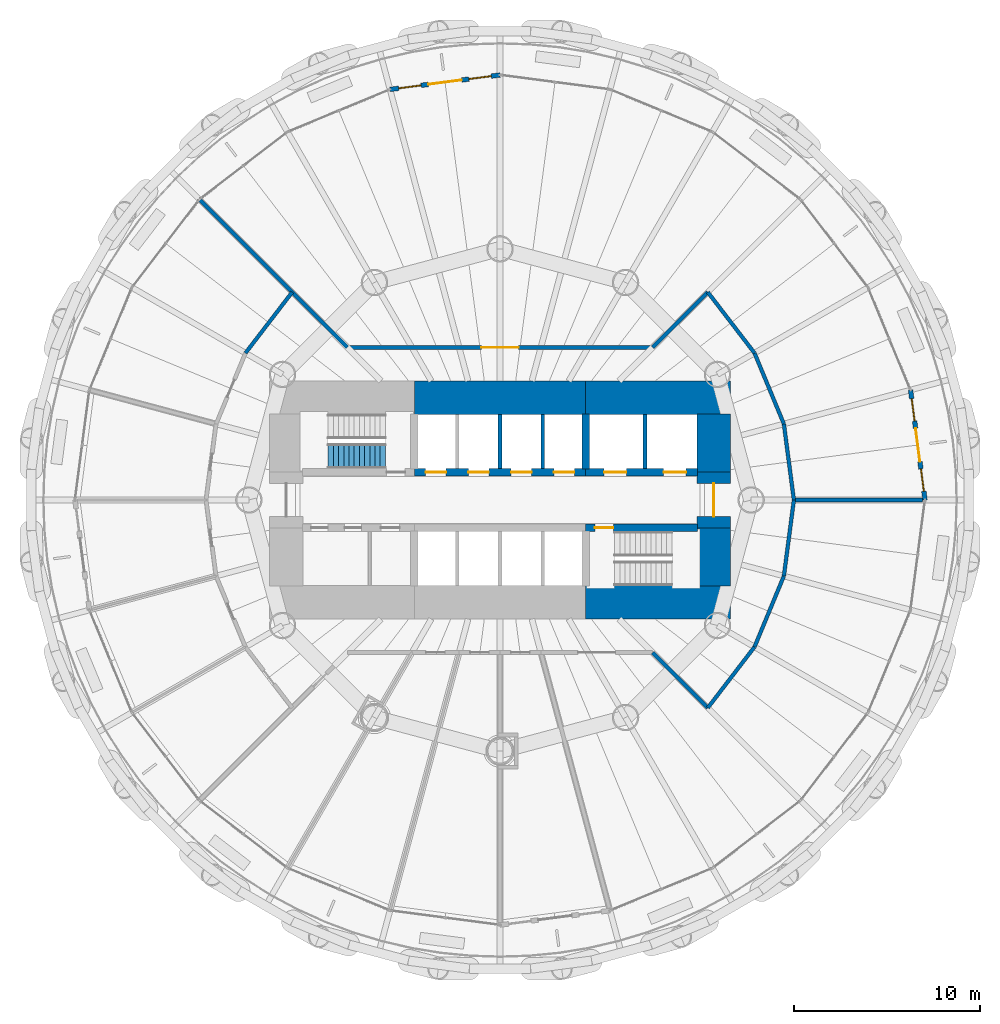
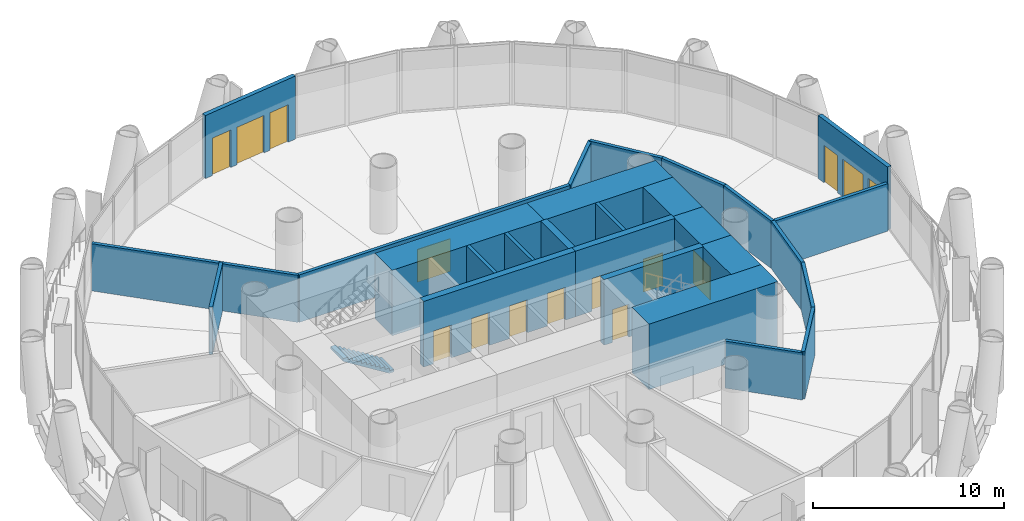
# One storey, part 11 of 16: 27 walls, 11 doors, 4 windows, 1 stair flight, 15 openings, 1 element without a shape of its own.
"""IFC4 building model written with IfcOpenShell, lengths in metres."""

from ifc_helpers import new_model, si_unit, direction, frame, frame_2d, origin, place, context, subcontext, project, spatial, polyline, rectangle, outline, extrude, material, layer, layer_set, type_object, element, fill, aggregate, save


model = new_model("IFC4")

# Units and contexts
model_context = context("Model", 3, precision=1e-05, world=origin(), true_north=direction((0.0, 1.0)))
body_context = subcontext(model_context, "Body", "Model", "MODEL_VIEW")
ifc_project = project(units=[si_unit("LENGTHUNIT", "METRE"), si_unit("AREAUNIT", "SQUARE_METRE"), si_unit("VOLUMEUNIT", "CUBIC_METRE"), si_unit("PLANEANGLEUNIT", "RADIAN"), si_unit("MASSUNIT", "GRAM", prefix="KILO")], contexts=[model_context])

# Site, building, storey
site_placement = place(None, origin())
site = spatial("IfcSite", under=ifc_project, at=site_placement, CompositionType="ELEMENT")
building_placement = place(site_placement, origin())
building = spatial("IfcBuilding", under=site, at=building_placement, Name="Qaws Media Tower", CompositionType="ELEMENT")
storey_placement = place(building_placement, frame((0.0, 0.0, 63.800048828125)))
storey = spatial("IfcBuildingStorey", under=building, at=storey_placement, Name="L13", CompositionType="ELEMENT", Elevation=63.800048828125)

# Wall, openings, door, windows
ifc_material_1 = material(Name="Precast concrete, exposed finish", Category="concrete")
ifc_layer_1 = layer(ifc_material_1, 0.25)
ifc_layer_set_1 = layer_set([ifc_layer_1], Name="Balcony door wall 250")
wall_type_1 = type_object("IfcWallType", Name="Balcony door wall 250", PredefinedType="SOLIDWALL", material=ifc_layer_set_1)
wall_1_placement = place(storey_placement, frame((82.85009765625, 50.0, 0.0), z_axis=(0.0, 0.0, 1.0), x_axis=(-0.130560384174, 0.991440359318, 0.0)))
wall_1 = element("IfcWall", 1, at=wall_1_placement, inside=storey, type_object=wall_type_1, Name="W144 EW1 balcony door wall L13-01", PredefinedType="SOLIDWALL", context=body_context, shape_type="SweptSolid", body=[
    extrude(rectangle(XDim=5.965087890625, YDim=0.25, at=frame_2d((2.982421875, 0.0))), origin(), (0.0, 0.0, 1.0), 4.0400390625),
])
opening_1_placement = place(wall_1_placement, frame((2.08251953125, 0.0, 0.0)))
opening_1 = element("IfcOpeningElement", 2, at=opening_1_placement, cuts=wall_1, Name="Opening D7", PredefinedType="OPENING", context=body_context, shape_type="SweptSolid", body=[
    extrude(rectangle(XDim=1.800048828125, YDim=2.39990234375, at=frame_2d((0.89990234375, 1.199951171875))), frame((0.0, 0.135009765625, 0.0), z_axis=(0.0, -1.0, 0.0), x_axis=(1.0, 0.0, 0.0)), (0.0, 0.0, 1.0), 0.27001953125),
])
opening_2_placement = place(wall_1_placement, frame((0.482421875, 0.0, 0.0)))
opening_2 = element("IfcOpeningElement", 3, at=opening_2_placement, cuts=wall_1, Name="Opening W1", PredefinedType="OPENING", context=body_context, shape_type="SweptSolid", body=[
    extrude(rectangle(XDim=1.199951171875, YDim=2.39990234375, at=frame_2d((0.60009765625, 1.199951171875))), frame((0.0, 0.135009765625, 0.0), z_axis=(0.0, -1.0, 0.0), x_axis=(1.0, 0.0, 0.0)), (0.0, 0.0, 1.0), 0.27001953125),
])
opening_3_placement = place(wall_1_placement, frame((4.282470703125, 0.0, 0.0)))
opening_3 = element("IfcOpeningElement", 4, at=opening_3_placement, cuts=wall_1, Name="Opening W1", PredefinedType="OPENING", context=body_context, shape_type="SweptSolid", body=[
    extrude(rectangle(XDim=1.199951171875, YDim=2.39990234375, at=frame_2d((0.60009765625, 1.199951171875))), frame((0.0, 0.135009765625, 0.0), z_axis=(0.0, -1.0, 0.0), x_axis=(1.0, 0.0, 0.0)), (0.0, 0.0, 1.0), 0.27001953125),
])
ifc_material_2 = material(Name="Aluminium and clear glass", Category="aluminium")
door_type_1 = type_object("IfcDoorType", Name="Balcony door pair 1800", OperationType="DOUBLE_DOOR_SLIDING", PredefinedType="DOOR", material=ifc_material_2)
door_1_placement = place(opening_1_placement, origin())
door_1 = element("IfcDoor", 5, at=door_1_placement, inside=storey, type_object=door_type_1, Name="D7 balcony door L13-01 in wall W144", OperationType="DOUBLE_DOOR_SLIDING", OverallHeight=2.39990234375, OverallWidth=1.800048828125, PredefinedType="DOOR", context=body_context, shape_type="SweptSolid", body=[
    extrude(rectangle(XDim=1.800048828125, YDim=2.39990234375, at=frame_2d((0.89990234375, 1.199951171875))), frame((0.0, 0.02490234375, 0.0), z_axis=(0.0, -1.0, 0.0), x_axis=(1.0, 0.0, 0.0)), (0.0, 0.0, 1.0), 0.050048828125),
])
fill(opening_1, door_1)
ifc_material_3 = material(Name="Aluminium and clear glass", Category="aluminium")
window_type = type_object("IfcWindowType", Name="Balcony side window 1200", PartitioningType="SINGLE_PANEL", PredefinedType="WINDOW", material=ifc_material_3)
window_1_placement = place(opening_2_placement, origin())
window_1 = element("IfcWindow", 6, at=window_1_placement, inside=storey, type_object=window_type, Name="W1 balcony side light L13-01L", OverallHeight=2.39990234375, OverallWidth=1.199951171875, PartitioningType="SINGLE_PANEL", PredefinedType="WINDOW", context=body_context, shape_type="SweptSolid", body=[
    extrude(rectangle(XDim=1.199951171875, YDim=2.39990234375, at=frame_2d((0.60009765625, 1.199951171875))), frame((0.0, 0.030029296875, 0.0), z_axis=(0.0, -1.0, 0.0), x_axis=(1.0, 0.0, 0.0)), (0.0, 0.0, 1.0), 0.06005859375),
])
fill(opening_2, window_1)
window_2_placement = place(opening_3_placement, origin())
window_2 = element("IfcWindow", 7, at=window_2_placement, inside=storey, type_object=window_type, Name="W1 balcony side light L13-01R", OverallHeight=2.39990234375, OverallWidth=1.199951171875, PartitioningType="SINGLE_PANEL", PredefinedType="WINDOW", context=body_context, shape_type="SweptSolid", body=[
    extrude(rectangle(XDim=1.199951171875, YDim=2.39990234375, at=frame_2d((0.60009765625, 1.199951171875))), frame((0.0, 0.030029296875, 0.0), z_axis=(0.0, -1.0, 0.0), x_axis=(1.0, 0.0, 0.0)), (0.0, 0.0, 1.0), 0.06005859375),
])
fill(opening_3, window_2)

wall_2_placement = place(storey_placement, frame((60.0, 72.85009765625, 0.0), z_axis=(0.0, 0.0, 1.0), x_axis=(-0.991440359318, -0.130560384174, 0.0)))
wall_2 = element("IfcWall", 8, at=wall_2_placement, inside=storey, type_object=wall_type_1, Name="W143 EW1 balcony door wall L13-07", PredefinedType="SOLIDWALL", context=body_context, shape_type="SweptSolid", body=[
    extrude(rectangle(XDim=5.965087890625, YDim=0.25, at=frame_2d((2.982421875, 0.0))), origin(), (0.0, 0.0, 1.0), 4.0400390625),
])
opening_4_placement = place(wall_2_placement, frame((2.08251953125, 0.0, 0.0)))
opening_4 = element("IfcOpeningElement", 9, at=opening_4_placement, cuts=wall_2, Name="Opening D7", PredefinedType="OPENING", context=body_context, shape_type="SweptSolid", body=[
    extrude(rectangle(XDim=1.800048828125, YDim=2.39990234375, at=frame_2d((0.89990234375, 1.199951171875))), frame((0.0, 0.135009765625, 0.0), z_axis=(0.0, -1.0, 0.0), x_axis=(1.0, 0.0, 0.0)), (0.0, 0.0, 1.0), 0.27001953125),
])
opening_5_placement = place(wall_2_placement, frame((0.482421875, 0.0, 0.0)))
opening_5 = element("IfcOpeningElement", 10, at=opening_5_placement, cuts=wall_2, Name="Opening W1", PredefinedType="OPENING", context=body_context, shape_type="SweptSolid", body=[
    extrude(rectangle(XDim=1.199951171875, YDim=2.39990234375, at=frame_2d((0.60009765625, 1.199951171875))), frame((0.0, 0.135009765625, 0.0), z_axis=(0.0, -1.0, 0.0), x_axis=(1.0, 0.0, 0.0)), (0.0, 0.0, 1.0), 0.27001953125),
])
opening_6_placement = place(wall_2_placement, frame((4.282470703125, 0.0, 0.0)))
opening_6 = element("IfcOpeningElement", 11, at=opening_6_placement, cuts=wall_2, Name="Opening W1", PredefinedType="OPENING", context=body_context, shape_type="SweptSolid", body=[
    extrude(rectangle(XDim=1.199951171875, YDim=2.39990234375, at=frame_2d((0.60009765625, 1.199951171875))), frame((0.0, 0.135009765625, 0.0), z_axis=(0.0, -1.0, 0.0), x_axis=(1.0, 0.0, 0.0)), (0.0, 0.0, 1.0), 0.27001953125),
])
door_2_placement = place(opening_4_placement, origin())
door_2 = element("IfcDoor", 12, at=door_2_placement, inside=storey, type_object=door_type_1, Name="D7 balcony door L13-07 in wall W143", OperationType="DOUBLE_DOOR_SLIDING", OverallHeight=2.39990234375, OverallWidth=1.800048828125, PredefinedType="DOOR", context=body_context, shape_type="SweptSolid", body=[
    extrude(rectangle(XDim=1.800048828125, YDim=2.39990234375, at=frame_2d((0.89990234375, 1.199951171875))), frame((0.0, 0.02490234375, 0.0), z_axis=(0.0, -1.0, 0.0), x_axis=(1.0, 0.0, 0.0)), (0.0, 0.0, 1.0), 0.050048828125),
])
fill(opening_4, door_2)
window_3_placement = place(opening_5_placement, origin())
window_3 = element("IfcWindow", 13, at=window_3_placement, inside=storey, type_object=window_type, Name="W1 balcony side light L13-07L", OverallHeight=2.39990234375, OverallWidth=1.199951171875, PartitioningType="SINGLE_PANEL", PredefinedType="WINDOW", context=body_context, shape_type="SweptSolid", body=[
    extrude(rectangle(XDim=1.199951171875, YDim=2.39990234375, at=frame_2d((0.60009765625, 1.199951171875))), frame((0.0, 0.030029296875, 0.0), z_axis=(0.0, -1.0, 0.0), x_axis=(1.0, 0.0, 0.0)), (0.0, 0.0, 1.0), 0.06005859375),
])
fill(opening_5, window_3)
window_4_placement = place(opening_6_placement, origin())
window_4 = element("IfcWindow", 14, at=window_4_placement, inside=storey, type_object=window_type, Name="W1 balcony side light L13-07R", OverallHeight=2.39990234375, OverallWidth=1.199951171875, PartitioningType="SINGLE_PANEL", PredefinedType="WINDOW", context=body_context, shape_type="SweptSolid", body=[
    extrude(rectangle(XDim=1.199951171875, YDim=2.39990234375, at=frame_2d((0.60009765625, 1.199951171875))), frame((0.0, 0.030029296875, 0.0), z_axis=(0.0, -1.0, 0.0), x_axis=(1.0, 0.0, 0.0)), (0.0, 0.0, 1.0), 0.06005859375),
])
fill(opening_6, window_4)

# Wall, openings, doors
ifc_material_4 = material(Name="Concrete C60/75", Category="concrete")
ifc_layer_2 = layer(ifc_material_4, 0.39990234375)
ifc_layer_set_2 = layer_set([ifc_layer_2], Name="Core inner wall 400")
wall_type_2 = type_object("IfcWallType", Name="Core inner wall 400", PredefinedType="SHEAR", material=ifc_layer_set_2)
wall_3_placement = place(storey_placement, frame((55.39990234375, 51.5, 0.0), z_axis=(0.0, 0.0, 1.0), x_axis=(1.0, 0.0, 0.0)))
wall_3 = element("IfcWall", 15, at=wall_3_placement, inside=storey, type_object=wall_type_2, Name="W314 SW4 core wall SPN L13", PredefinedType="SHEAR", context=body_context, shape_type="SweptSolid", body=[
    extrude(rectangle(XDim=9.2001953125, YDim=0.39990234375, at=frame_2d((4.60009765625, 0.0))), origin(), (0.0, 0.0, 1.0), 4.199951171875),
])
opening_7_placement = place(wall_3_placement, frame((0.60009765625, 0.0, 0.0)))
opening_7 = element("IfcOpeningElement", 16, at=opening_7_placement, cuts=wall_3, Name="Opening LD", PredefinedType="OPENING", context=body_context, shape_type="SweptSolid", body=[
    extrude(rectangle(XDim=1.10009765625, YDim=2.10009765625, at=frame_2d((0.550048828125, 1.050048828125))), frame((0.0, 0.2099609375, 0.0), z_axis=(0.0, -1.0, 0.0), x_axis=(1.0, 0.0, 0.0)), (0.0, 0.0, 1.0), 0.419921875),
])
opening_8_placement = place(wall_3_placement, frame((2.89990234375, 0.0, 0.0)))
opening_8 = element("IfcOpeningElement", 17, at=opening_8_placement, cuts=wall_3, Name="Opening LD", PredefinedType="OPENING", context=body_context, shape_type="SweptSolid", body=[
    extrude(rectangle(XDim=1.10009765625, YDim=2.10009765625, at=frame_2d((0.550048828125, 1.050048828125))), frame((0.0, 0.2099609375, 0.0), z_axis=(0.0, -1.0, 0.0), x_axis=(1.0, 0.0, 0.0)), (0.0, 0.0, 1.0), 0.419921875),
])
opening_9_placement = place(wall_3_placement, frame((5.199951171875, 0.0, 0.0)))
opening_9 = element("IfcOpeningElement", 18, at=opening_9_placement, cuts=wall_3, Name="Opening LD", PredefinedType="OPENING", context=body_context, shape_type="SweptSolid", body=[
    extrude(rectangle(XDim=1.10009765625, YDim=2.10009765625, at=frame_2d((0.550048828125, 1.050048828125))), frame((0.0, 0.2099609375, 0.0), z_axis=(0.0, -1.0, 0.0), x_axis=(1.0, 0.0, 0.0)), (0.0, 0.0, 1.0), 0.419921875),
])
opening_10_placement = place(wall_3_placement, frame((7.5, 0.0, 0.0)))
opening_10 = element("IfcOpeningElement", 19, at=opening_10_placement, cuts=wall_3, Name="Opening LD", PredefinedType="OPENING", context=body_context, shape_type="SweptSolid", body=[
    extrude(rectangle(XDim=1.10009765625, YDim=2.10009765625, at=frame_2d((0.550048828125, 1.050048828125))), frame((0.0, 0.2099609375, 0.0), z_axis=(0.0, -1.0, 0.0), x_axis=(1.0, 0.0, 0.0)), (0.0, 0.0, 1.0), 0.419921875),
])
ifc_material_5 = material(Name="Steel, fire rated", Category="steel")
door_type_2 = type_object("IfcDoorType", Name="Lift landing door 1100", OperationType="SLIDING_TO_LEFT", PredefinedType="DOOR", material=ifc_material_5)
door_3_placement = place(opening_7_placement, origin())
door_3 = element("IfcDoor", 20, at=door_3_placement, inside=storey, type_object=door_type_2, Name="P1 landing door L13 in wall W314", OperationType="SLIDING_TO_LEFT", OverallHeight=2.10009765625, OverallWidth=1.10009765625, PredefinedType="DOOR", context=body_context, shape_type="SweptSolid", body=[
    extrude(rectangle(XDim=1.10009765625, YDim=2.10009765625, at=frame_2d((0.550048828125, 1.050048828125))), frame((0.0, 0.02490234375, 0.0), z_axis=(0.0, -1.0, 0.0), x_axis=(1.0, 0.0, 0.0)), (0.0, 0.0, 1.0), 0.050048828125),
])
fill(opening_7, door_3)
door_4_placement = place(opening_8_placement, origin())
door_4 = element("IfcDoor", 21, at=door_4_placement, inside=storey, type_object=door_type_2, Name="P2 landing door L13 in wall W314", OperationType="SLIDING_TO_LEFT", OverallHeight=2.10009765625, OverallWidth=1.10009765625, PredefinedType="DOOR", context=body_context, shape_type="SweptSolid", body=[
    extrude(rectangle(XDim=1.10009765625, YDim=2.10009765625, at=frame_2d((0.550048828125, 1.050048828125))), frame((0.0, 0.02490234375, 0.0), z_axis=(0.0, -1.0, 0.0), x_axis=(1.0, 0.0, 0.0)), (0.0, 0.0, 1.0), 0.050048828125),
])
fill(opening_8, door_4)
door_5_placement = place(opening_9_placement, origin())
door_5 = element("IfcDoor", 22, at=door_5_placement, inside=storey, type_object=door_type_2, Name="P3 landing door L13 in wall W314", OperationType="SLIDING_TO_LEFT", OverallHeight=2.10009765625, OverallWidth=1.10009765625, PredefinedType="DOOR", context=body_context, shape_type="SweptSolid", body=[
    extrude(rectangle(XDim=1.10009765625, YDim=2.10009765625, at=frame_2d((0.550048828125, 1.050048828125))), frame((0.0, 0.02490234375, 0.0), z_axis=(0.0, -1.0, 0.0), x_axis=(1.0, 0.0, 0.0)), (0.0, 0.0, 1.0), 0.050048828125),
])
fill(opening_9, door_5)
door_6_placement = place(opening_10_placement, origin())
door_6 = element("IfcDoor", 23, at=door_6_placement, inside=storey, type_object=door_type_2, Name="P4 landing door L13 in wall W314", OperationType="SLIDING_TO_LEFT", OverallHeight=2.10009765625, OverallWidth=1.10009765625, PredefinedType="DOOR", context=body_context, shape_type="SweptSolid", body=[
    extrude(rectangle(XDim=1.10009765625, YDim=2.10009765625, at=frame_2d((0.550048828125, 1.050048828125))), frame((0.0, 0.02490234375, 0.0), z_axis=(0.0, -1.0, 0.0), x_axis=(1.0, 0.0, 0.0)), (0.0, 0.0, 1.0), 0.050048828125),
])
fill(opening_10, door_6)

wall_4_placement = place(storey_placement, frame((64.60009765625, 51.5, 0.0), z_axis=(0.0, 0.0, 1.0), x_axis=(1.0, 0.0, 0.0)))
wall_4 = element("IfcWall", 24, at=wall_4_placement, inside=storey, type_object=wall_type_2, Name="W318 SW4 core wall SPNE L13", PredefinedType="SHEAR", context=body_context, shape_type="SweptSolid", body=[
    extrude(rectangle(XDim=6.02001953125, YDim=0.39990234375, at=frame_2d((3.010009765625, 0.0))), origin(), (0.0, 0.0, 1.0), 4.199951171875),
])
opening_11_placement = place(wall_4_placement, frame((1.0, 0.0, 0.0)))
opening_11 = element("IfcOpeningElement", 25, at=opening_11_placement, cuts=wall_4, Name="Opening LD2", PredefinedType="OPENING", context=body_context, shape_type="SweptSolid", body=[
    extrude(rectangle(XDim=1.199951171875, YDim=2.10009765625, at=frame_2d((0.60009765625, 1.050048828125))), frame((0.0, 0.2099609375, 0.0), z_axis=(0.0, -1.0, 0.0), x_axis=(1.0, 0.0, 0.0)), (0.0, 0.0, 1.0), 0.419921875),
])
opening_12_placement = place(wall_4_placement, frame((4.199951171875, 0.0, 0.0)))
opening_12 = element("IfcOpeningElement", 26, at=opening_12_placement, cuts=wall_4, Name="Opening LD2", PredefinedType="OPENING", context=body_context, shape_type="SweptSolid", body=[
    extrude(rectangle(XDim=1.199951171875, YDim=2.10009765625, at=frame_2d((0.60009765625, 1.050048828125))), frame((0.0, 0.2099609375, 0.0), z_axis=(0.0, -1.0, 0.0), x_axis=(1.0, 0.0, 0.0)), (0.0, 0.0, 1.0), 0.419921875),
])
ifc_material_6 = material(Name="Steel, fire rated", Category="steel")
door_type_3 = type_object("IfcDoorType", Name="Lift landing door 1200", OperationType="SLIDING_TO_LEFT", PredefinedType="DOOR", material=ifc_material_6)
door_7_placement = place(opening_11_placement, origin())
door_7 = element("IfcDoor", 27, at=door_7_placement, inside=storey, type_object=door_type_3, Name="FL1 landing door L13 in wall W318", OperationType="SLIDING_TO_LEFT", OverallHeight=2.10009765625, OverallWidth=1.199951171875, PredefinedType="DOOR", context=body_context, shape_type="SweptSolid", body=[
    extrude(rectangle(XDim=1.199951171875, YDim=2.10009765625, at=frame_2d((0.60009765625, 1.050048828125))), frame((0.0, 0.02490234375, 0.0), z_axis=(0.0, -1.0, 0.0), x_axis=(1.0, 0.0, 0.0)), (0.0, 0.0, 1.0), 0.050048828125),
])
fill(opening_11, door_7)
door_8_placement = place(opening_12_placement, origin())
door_8 = element("IfcDoor", 28, at=door_8_placement, inside=storey, type_object=door_type_3, Name="FL2 landing door L13 in wall W318", OperationType="SLIDING_TO_LEFT", OverallHeight=2.10009765625, OverallWidth=1.199951171875, PredefinedType="DOOR", context=body_context, shape_type="SweptSolid", body=[
    extrude(rectangle(XDim=1.199951171875, YDim=2.10009765625, at=frame_2d((0.60009765625, 1.050048828125))), frame((0.0, 0.02490234375, 0.0), z_axis=(0.0, -1.0, 0.0), x_axis=(1.0, 0.0, 0.0)), (0.0, 0.0, 1.0), 0.050048828125),
])
fill(opening_12, door_8)

# Wall, opening, door
wall_5_placement = place(storey_placement, frame((64.60009765625, 48.5, 0.0), z_axis=(0.0, 0.0, 1.0), x_axis=(1.0, 0.0, 0.0)))
wall_5 = element("IfcWall", 29, at=wall_5_placement, inside=storey, type_object=wall_type_2, Name="W317 SW4 core wall SPSE L13", PredefinedType="SHEAR", context=body_context, shape_type="SweptSolid", body=[
    extrude(rectangle(XDim=6.02001953125, YDim=0.39990234375, at=frame_2d((3.010009765625, 0.0))), origin(), (0.0, 0.0, 1.0), 4.199951171875),
])
opening_13_placement = place(wall_5_placement, frame((0.5, 0.0, 0.0)))
opening_13 = element("IfcOpeningElement", 30, at=opening_13_placement, cuts=wall_5, Name="Opening D1", PredefinedType="OPENING", context=body_context, shape_type="SweptSolid", body=[
    extrude(rectangle(XDim=1.0, YDim=2.10009765625, at=frame_2d((0.5, 1.050048828125))), frame((0.0, 0.2099609375, 0.0), z_axis=(0.0, -1.0, 0.0), x_axis=(1.0, 0.0, 0.0)), (0.0, 0.0, 1.0), 0.419921875),
])
ifc_material_7 = material(Name="Steel, fire rated", Category="steel")
door_type_4 = type_object("IfcDoorType", Name="Stair door 1000 FD120", OperationType="SINGLE_SWING_LEFT", PredefinedType="DOOR", material=ifc_material_7)
door_9_placement = place(opening_13_placement, origin())
door_9 = element("IfcDoor", 31, at=door_9_placement, inside=storey, type_object=door_type_4, Name="D1 stair S2 door L13 in wall W317", OperationType="SINGLE_SWING_LEFT", OverallHeight=2.10009765625, OverallWidth=1.0, PredefinedType="DOOR", context=body_context, shape_type="SweptSolid", body=[
    extrude(rectangle(XDim=1.0, YDim=2.10009765625, at=frame_2d((0.5, 1.050048828125))), frame((0.0, 0.02490234375, 0.0), z_axis=(0.0, -1.0, 0.0), x_axis=(1.0, 0.0, 0.0)), (0.0, 0.0, 1.0), 0.050048828125),
])
fill(opening_13, door_9)

# Walls
wall_6_placement = place(storey_placement, frame((64.60009765625, 51.679931640625, 0.0), z_axis=(0.0, 0.0, 1.0), x_axis=(0.0, 1.0, 0.0)))
element("IfcWall", 32, at=wall_6_placement, inside=storey, type_object=wall_type_2, Name="W319 SW4 core wall XNE L13", PredefinedType="SHEAR", context=body_context, shape_type="SweptSolid", body=[
    extrude(rectangle(XDim=2.940185546875, YDim=0.39990234375, at=frame_2d((1.47021484375, 0.0))), origin(), (0.0, 0.0, 1.0), 4.199951171875),
])
ifc_material_8 = material(Name="Concrete C60/75", Category="concrete")
ifc_layer_3 = layer(ifc_material_8, 1.800048828125)
ifc_layer_set_3 = layer_set([ifc_layer_3], Name="Core wall 1800")
wall_type_3 = type_object("IfcWallType", Name="Core wall 1800", PredefinedType="SHEAR", material=ifc_layer_set_3)
wall_7_placement = place(storey_placement, frame((55.39990234375, 55.5, 0.0), z_axis=(0.0, 0.0, 1.0), x_axis=(1.0, 0.0, 0.0)))
element("IfcWall", 33, at=wall_7_placement, inside=storey, type_object=wall_type_3, Name="W404 SW11 core wall N L13", PredefinedType="SHEAR", context=body_context, shape_type="SweptSolid", body=[
    extrude(rectangle(XDim=9.2001953125, YDim=1.800048828125, at=frame_2d((4.60009765625, 0.0))), origin(), (0.0, 0.0, 1.0), 4.199951171875),
])
for number, where, z_axis, x_axis, name in (
    (34, (64.60009765625, 55.5, 0.0), (0.0, 0.0, 1.0), (1.0, 0.0, 0.0), "W406 SW11 core wall NE L13"),
    (35, (64.60009765625, 44.5, 0.0), (0.0, 0.0, 1.0), (1.0, 0.0, 0.0), "W405 SW11 core wall SE L13"),
):
    element("IfcWall", number, at=place(storey_placement, frame(where, z_axis=z_axis, x_axis=x_axis)), inside=storey, type_object=wall_type_3, Name=name, PredefinedType="SHEAR", context=body_context, shape_type="SweptSolid", body=[
        extrude(rectangle(XDim=7.7998046875, YDim=1.800048828125, at=frame_2d((3.89990234375, 0.0))), origin(), (0.0, 0.0, 1.0), 4.199951171875),
    ])
wall_8_placement = place(storey_placement, frame((71.5, 45.3798828125, 0.0), z_axis=(0.0, 0.0, 1.0), x_axis=(0.0, 1.0, 0.0)))
element("IfcWall", 36, at=wall_8_placement, inside=storey, type_object=wall_type_3, Name="W407 SW11 core wall ES L13", PredefinedType="SHEAR", context=body_context, shape_type="SweptSolid", body=[
    extrude(rectangle(XDim=3.1201171875, YDim=1.800048828125, at=frame_2d((1.56005859375, 0.0))), origin(), (0.0, 0.0, 1.0), 4.199951171875),
])

# Wall, opening, door
wall_9_placement = place(storey_placement, frame((71.5, 48.5, 0.0), z_axis=(0.0, 0.0, 1.0), x_axis=(0.0, 1.0, 0.0)))
wall_9 = element("IfcWall", 37, at=wall_9_placement, inside=storey, type_object=wall_type_3, Name="W408 SW11 core wall E L13", PredefinedType="SHEAR", context=body_context, shape_type="SweptSolid", body=[
    extrude(rectangle(XDim=3.0, YDim=1.800048828125, at=frame_2d((1.5, 0.0))), origin(), (0.0, 0.0, 1.0), 4.199951171875),
])
opening_14_placement = place(wall_9_placement, frame((0.60009765625, 0.0, 0.0)))
opening_14 = element("IfcOpeningElement", 38, at=opening_14_placement, cuts=wall_9, Name="Opening D2", PredefinedType="OPENING", context=body_context, shape_type="SweptSolid", body=[
    extrude(rectangle(XDim=1.800048828125, YDim=2.10009765625, at=frame_2d((0.89990234375, 1.050048828125))), frame((0.0, 0.909912109375, 0.0), z_axis=(0.0, -1.0, 0.0), x_axis=(1.0, 0.0, 0.0)), (0.0, 0.0, 1.0), 1.820068359375),
])
ifc_material_9 = material(Name="Steel and glass, fire rated", Category="steel")
door_type_5 = type_object("IfcDoorType", Name="Lobby door pair 1800 FD60", OperationType="DOUBLE_DOOR_DOUBLE_SWING", PredefinedType="DOOR", material=ifc_material_9)
door_10_placement = place(opening_14_placement, origin())
door_10 = element("IfcDoor", 39, at=door_10_placement, inside=storey, type_object=door_type_5, Name="D2 core lobby door E L13 in wall W408", OperationType="DOUBLE_DOOR_DOUBLE_SWING", OverallHeight=2.10009765625, OverallWidth=1.800048828125, PredefinedType="DOOR", context=body_context, shape_type="SweptSolid", body=[
    extrude(rectangle(XDim=1.800048828125, YDim=2.10009765625, at=frame_2d((0.89990234375, 1.050048828125))), frame((0.0, 0.02490234375, 0.0), z_axis=(0.0, -1.0, 0.0), x_axis=(1.0, 0.0, 0.0)), (0.0, 0.0, 1.0), 0.050048828125),
])
fill(opening_14, door_10)

# Walls
wall_10_placement = place(storey_placement, frame((71.5, 51.5, 0.0), z_axis=(0.0, 0.0, 1.0), x_axis=(0.0, 1.0, 0.0)))
element("IfcWall", 40, at=wall_10_placement, inside=storey, type_object=wall_type_3, Name="W409 SW11 core wall EN L13", PredefinedType="SHEAR", context=body_context, shape_type="SweptSolid", body=[
    extrude(rectangle(XDim=3.1201171875, YDim=1.800048828125, at=frame_2d((1.56005859375, 0.0))), origin(), (0.0, 0.0, 1.0), 4.199951171875),
])
ifc_material_10 = material(Name="Gypsum board on galvanised metal studs, acoustic double stud, deflection head", Category="gypsum")
ifc_layer_4 = layer(ifc_material_10, 0.199951171875)
ifc_layer_set_4 = layer_set([ifc_layer_4], Name="Room partition 200")
wall_type_4 = type_object("IfcWallType", Name="Room partition 200", PredefinedType="PARTITIONING", material=ifc_layer_set_4)
wall_11_placement = place(storey_placement, frame((46.31689453125, 57.89990234375, 0.0), z_axis=(0.0, 0.0, 1.0), x_axis=(0.608714823874, 0.793389099494, 0.0)))
element("IfcWall", 41, at=wall_11_placement, inside=storey, type_object=wall_type_4, Name="W947 IW3 partition L13", PredefinedType="PARTITIONING", context=body_context, shape_type="SweptSolid", body=[
    extrude(rectangle(XDim=4.124755859375, YDim=0.199951171875, at=frame_2d((2.0625, 0.0))), origin(), (0.0, 0.0, 1.0), 3.0400390625),
])

# Wall, opening, door
wall_12_placement = place(storey_placement, frame((51.800048828125, 58.199951171875, 0.0), z_axis=(0.0, 0.0, 1.0), x_axis=(1.0, 0.0, 0.0)))
wall_12 = element("IfcWall", 42, at=wall_12_placement, inside=storey, type_object=wall_type_4, Name="W1044 IW3 partition L13", PredefinedType="PARTITIONING", context=body_context, shape_type="SweptSolid", body=[
    extrude(rectangle(XDim=16.39990234375, YDim=0.199951171875, at=frame_2d((8.199951171875, 0.0))), origin(), (0.0, 0.0, 1.0), 3.0400390625),
])
opening_15_placement = place(wall_12_placement, frame((7.199951171875, 0.0, 0.0)))
opening_15 = element("IfcOpeningElement", 43, at=opening_15_placement, cuts=wall_12, Name="Opening D6", PredefinedType="OPENING", context=body_context, shape_type="SweptSolid", body=[
    extrude(rectangle(XDim=2.0, YDim=2.10009765625, at=frame_2d((1.0, 1.050048828125))), frame((0.0, 0.10986328125, 0.0), z_axis=(0.0, -1.0, 0.0), x_axis=(1.0, 0.0, 0.0)), (0.0, 0.0, 1.0), 0.219970703125),
])
ifc_material_11 = material(Name="Steel, acoustic, fire rated", Category="steel")
door_type_6 = type_object("IfcDoorType", Name="Room door pair 2000", OperationType="DOUBLE_DOOR_DOUBLE_SWING", PredefinedType="DOOR", material=ifc_material_11)
door_11_placement = place(opening_15_placement, origin())
door_11 = element("IfcDoor", 44, at=door_11_placement, inside=storey, type_object=door_type_6, Name="D6 Newsroom door L13 in wall W1044", OperationType="DOUBLE_DOOR_DOUBLE_SWING", OverallHeight=2.10009765625, OverallWidth=2.0, PredefinedType="DOOR", context=body_context, shape_type="SweptSolid", body=[
    extrude(rectangle(XDim=2.0, YDim=2.10009765625, at=frame_2d((1.0, 1.050048828125))), frame((0.0, 0.02490234375, 0.0), z_axis=(0.0, -1.0, 0.0), x_axis=(1.0, 0.0, 0.0)), (0.0, 0.0, 1.0), 0.050048828125),
])
fill(opening_15, door_11)

# Walls
wall_13_placement = place(storey_placement, frame((68.199951171875, 58.199951171875, 0.0), z_axis=(0.0, 0.0, 1.0), x_axis=(0.707106781187, 0.707106781187, 0.0)))
element("IfcWall", 45, at=wall_13_placement, inside=storey, type_object=wall_type_4, Name="W975 IW3 partition L13", PredefinedType="PARTITIONING", context=body_context, shape_type="SweptSolid", body=[
    extrude(rectangle(XDim=4.20361328125, YDim=0.199951171875, at=frame_2d((2.101806640625, 0.0))), origin(), (0.0, 0.0, 1.0), 3.02001953125),
])
wall_14_placement = place(storey_placement, frame((71.17236328125, 61.17236328125, 0.0), z_axis=(0.0, 0.0, 1.0), x_axis=(0.608714823874, -0.793389099494, 0.0)))
element("IfcWall", 46, at=wall_14_placement, inside=storey, type_object=wall_type_4, Name="W953 IW3 partition L13", PredefinedType="PARTITIONING", context=body_context, shape_type="SweptSolid", body=[
    extrude(rectangle(XDim=4.124755859375, YDim=0.199951171875, at=frame_2d((2.0625, 0.0))), origin(), (0.0, 0.0, 1.0), 3.0400390625),
])
wall_15_placement = place(storey_placement, frame((73.68310546875, 57.89990234375, 0.0), z_axis=(0.0, 0.0, 1.0), x_axis=(0.382731667114, -0.923859551549, 0.0)))
element("IfcWall", 47, at=wall_15_placement, inside=storey, type_object=wall_type_4, Name="W956 IW3 partition L13", PredefinedType="PARTITIONING", context=body_context, shape_type="SweptSolid", body=[
    extrude(rectangle(XDim=4.12451171875, YDim=0.199951171875, at=frame_2d((2.062255859375, 0.0))), origin(), (0.0, 0.0, 1.0), 3.0400390625),
])
for number, where, z_axis, x_axis, name in (
    (48, (75.26171875, 54.08935546875, 0.0), (0.0, 0.0, 1.0), (0.130515758099, -0.991446234996, 0.0), "W958 IW3 partition L13"),
    (49, (75.800048828125, 50.0, 0.0), (0.0, 0.0, 1.0), (-0.130515758099, -0.991446234996, 0.0), "W959 IW3 partition L13"),
):
    element("IfcWall", number, at=place(storey_placement, frame(where, z_axis=z_axis, x_axis=x_axis)), inside=storey, type_object=wall_type_4, Name=name, PredefinedType="PARTITIONING", context=body_context, shape_type="SweptSolid", body=[
        extrude(rectangle(XDim=4.124755859375, YDim=0.199951171875, at=frame_2d((2.0625, 0.0))), origin(), (0.0, 0.0, 1.0), 3.0400390625),
    ])
wall_16_placement = place(storey_placement, frame((75.26171875, 45.91064453125, 0.0), z_axis=(0.0, 0.0, 1.0), x_axis=(-0.382731667114, -0.923859551549, 0.0)))
element("IfcWall", 50, at=wall_16_placement, inside=storey, type_object=wall_type_4, Name="W957 IW3 partition L13", PredefinedType="PARTITIONING", context=body_context, shape_type="SweptSolid", body=[
    extrude(rectangle(XDim=4.12451171875, YDim=0.199951171875, at=frame_2d((2.062255859375, 0.0))), origin(), (0.0, 0.0, 1.0), 3.0400390625),
])
wall_17_placement = place(storey_placement, frame((73.68310546875, 42.10009765625, 0.0), z_axis=(0.0, 0.0, 1.0), x_axis=(-0.608714823874, -0.793389099494, 0.0)))
element("IfcWall", 51, at=wall_17_placement, inside=storey, type_object=wall_type_4, Name="W954 IW3 partition L13", PredefinedType="PARTITIONING", context=body_context, shape_type="SweptSolid", body=[
    extrude(rectangle(XDim=4.124755859375, YDim=0.199951171875, at=frame_2d((2.0625, 0.0))), origin(), (0.0, 0.0, 1.0), 3.0400390625),
])
wall_18_placement = place(storey_placement, frame((71.17236328125, 38.82763671875, 0.0), z_axis=(0.0, 0.0, 1.0), x_axis=(-0.707106781187, 0.707106781187, 0.0)))
element("IfcWall", 52, at=wall_18_placement, inside=storey, type_object=wall_type_4, Name="W1053 IW3 partition L13", PredefinedType="PARTITIONING", context=body_context, shape_type="SweptSolid", body=[
    extrude(rectangle(XDim=4.20361328125, YDim=0.199951171875, at=frame_2d((2.101806640625, 0.0))), origin(), (0.0, 0.0, 1.0), 3.02001953125),
])
wall_19_placement = place(storey_placement, frame((75.800048828125, 50.0, 0.0), z_axis=(0.0, 0.0, 1.0), x_axis=(1.0, 0.0, 0.0)))
element("IfcWall", 53, at=wall_19_placement, inside=storey, type_object=wall_type_4, Name="W1066 IW3 partition L13", PredefinedType="PARTITIONING", context=body_context, shape_type="SweptSolid", body=[
    extrude(rectangle(XDim=6.909912109375, YDim=0.199951171875, at=frame_2d((3.455078125, 0.0))), origin(), (0.0, 0.0, 1.0), 3.0400390625),
])
wall_20_placement = place(storey_placement, frame((51.800048828125, 58.199951171875, 0.0), z_axis=(0.0, 0.0, 1.0), x_axis=(-0.707106781187, 0.707106781187, 0.0)))
element("IfcWall", 54, at=wall_20_placement, inside=storey, type_object=wall_type_4, Name="W1063 IW3 partition L13", PredefinedType="PARTITIONING", context=body_context, shape_type="SweptSolid", body=[
    extrude(rectangle(XDim=11.213623046875, YDim=0.199951171875, at=frame_2d((5.60693359375, 0.0))), origin(), (0.0, 0.0, 1.0), 3.02001953125),
])
ifc_material_12 = material(Name="Fire-rated gypsum board shaft wall on galvanised metal studs, deflection head", Category="gypsum")
ifc_layer_5 = layer(ifc_material_12, 0.199951171875)
ifc_layer_set_5 = layer_set([ifc_layer_5], Name="Shaft wall 200")
wall_type_5 = type_object("IfcWallType", Name="Shaft wall 200", PredefinedType="PARTITIONING", material=ifc_layer_set_5)
for number, where, z_axis, x_axis, name in (
    (55, (60.0, 51.699951171875, 0.0), (0.0, 0.0, 1.0), (0.0, 1.0, 0.0), "W1843 IW1 shaft wall N2 L13"),
    (56, (62.300048828125, 51.699951171875, 0.0), (0.0, 0.0, 1.0), (0.0, 1.0, 0.0), "W1844 IW1 shaft wall N3 L13"),
    (57, (67.800048828125, 51.699951171875, 0.0), (0.0, 0.0, 1.0), (0.0, 1.0, 0.0), "W1845 IW1 shaft wall FL L13"),
):
    element("IfcWall", number, at=place(storey_placement, frame(where, z_axis=z_axis, x_axis=x_axis)), inside=storey, type_object=wall_type_5, Name=name, PredefinedType="PARTITIONING", context=body_context, shape_type="SweptSolid", body=[
        extrude(rectangle(XDim=2.900146484375, YDim=0.199951171875, at=frame_2d((1.4501953125, 0.0))), origin(), (0.0, 0.0, 1.0), 4.199951171875),
    ])

# Stair, stair flight
ifc_material_13 = material(Name="Concrete C40/50", Category="concrete")
stair_type = type_object("IfcStairType", Name="Exit stair", PredefinedType="HALF_TURN_STAIR", material=ifc_material_13)
stair_placement = place(storey_placement, origin())
stair = element("IfcStair", 58, at=stair_placement, inside=storey, type_object=stair_type, Name="S1 exit stair L13", PredefinedType="HALF_TURN_STAIR")
ifc_material_14 = material(Name="Concrete C40/50", Category="concrete")
stair_flight_type = type_object("IfcStairFlightType", Name="Stair flight 1310", PredefinedType="STRAIGHT", material=ifc_material_14)
stair_flight_placement = place(storey_placement, frame((53.840087890625, 52.35498046875, 0.0), z_axis=(0.0, 0.0, 1.0), x_axis=(-1.0, 0.0, 0.0)))
stair_flight = element("IfcStairFlight", 59, at=stair_flight_placement, type_object=stair_flight_type, Name="S1 flight 1", NumberOfRisers=12, NumberOfTreads=11, PredefinedType="STRAIGHT", RiserHeight=0.175, TreadLength=0.28, context=body_context, shape_type="SweptSolid", body=[
    extrude(outline(polyline([(0.0, 0.0), (0.0, 0.175048828125), (0.280029296875, 0.175048828125), (0.280029296875, 0.35009765625), (0.56005859375, 0.35009765625), (0.56005859375, 0.52490234375), (0.840087890625, 0.52490234375), (0.840087890625, 0.699951171875), (1.1201171875, 0.699951171875), (1.1201171875, 0.875), (1.39990234375, 0.875), (1.39990234375, 1.050048828125), (1.679931640625, 1.050048828125), (1.679931640625, 1.22509765625), (1.9599609375, 1.22509765625), (1.9599609375, 1.39990234375), (2.239990234375, 1.39990234375), (2.239990234375, 1.574951171875), (2.52001953125, 1.574951171875), (2.52001953125, 1.75), (2.800048828125, 1.75), (2.800048828125, 1.925048828125), (3.080078125, 1.925048828125), (3.080078125, 2.10009765625), (3.080078125, 1.748291015625), (0.28271484375, 0.0), (0.0, 0.0)])), frame((0.0, 0.655029296875, 0.0), z_axis=(0.0, -1.0, 0.0), x_axis=(1.0, 0.0, 0.0)), (0.0, 0.0, 1.0), 1.31005859375),
])
aggregate(stair, [stair_flight])

save(model, "model.ifc")
